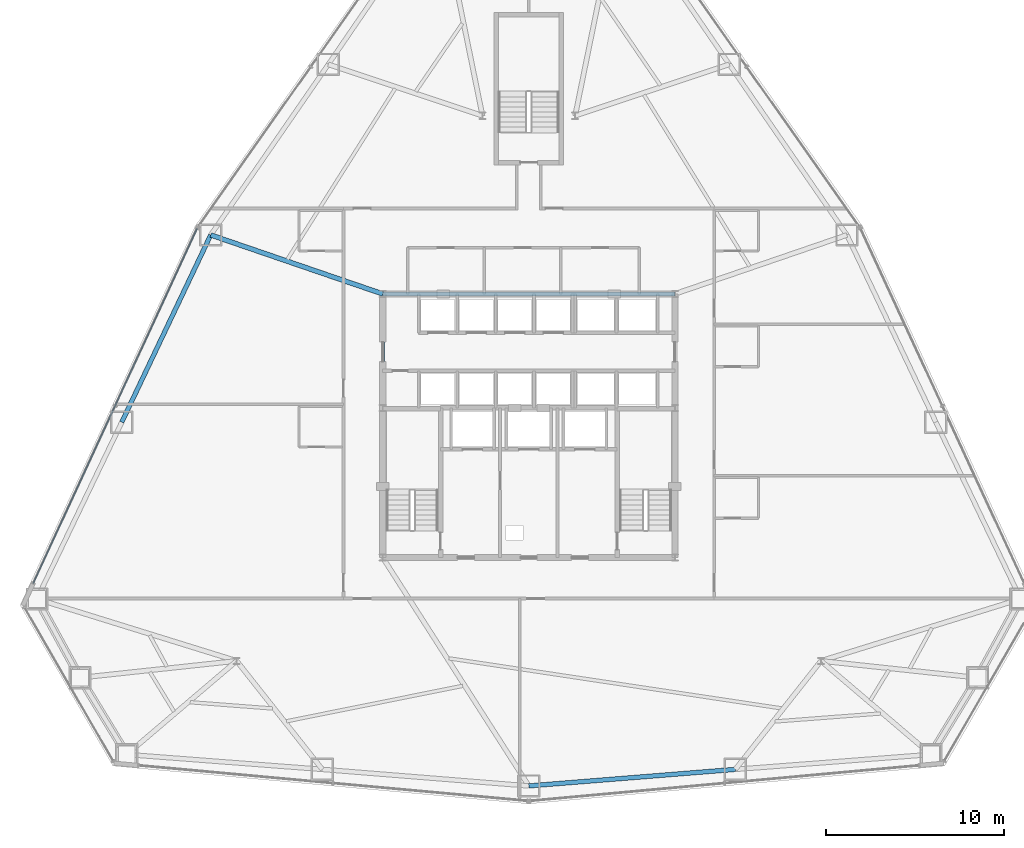
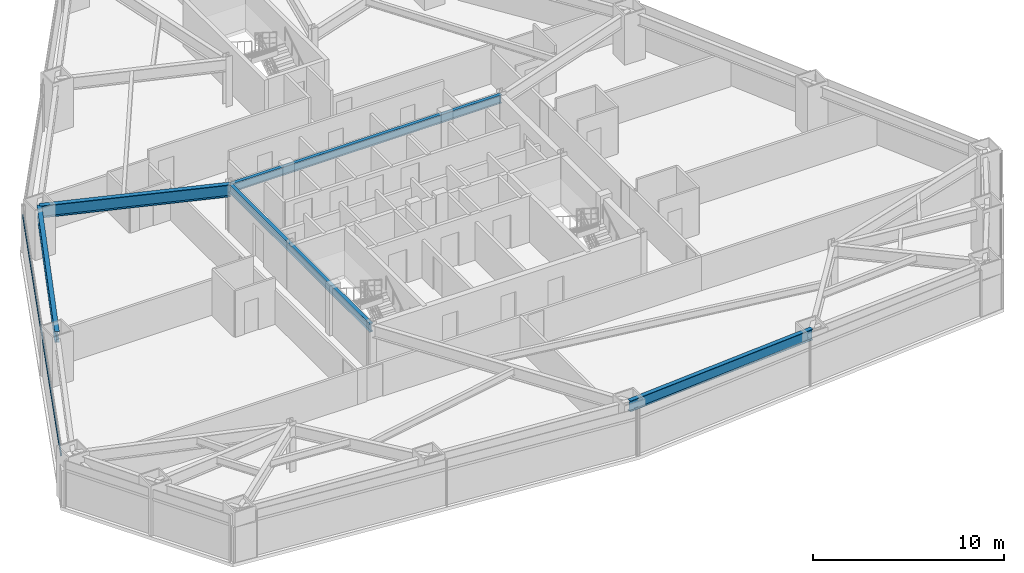
# One storey, part 5 of 12: 5 beams, 1 member, 1 element without a shape of its own.
"""IFC4 building model written with IfcOpenShell, lengths in metres."""

from ifc_helpers import new_model, si_unit, direction, frame, origin, origin_2d, place, context, subcontext, project, spatial, rectangle, i_section, extrude, source, transform, mapped, material, layer, layer_set, material_profile, profile_set, type_object, type_shapes, element, aggregate, save


model = new_model("IFC4")

# Units and contexts
model_context = context("Model", 3, precision=1e-05, world=origin(), true_north=direction((0.0, 1.0)))
body_context = subcontext(model_context, "Body", "Model", "MODEL_VIEW")
ifc_project = project(units=[si_unit("LENGTHUNIT", "METRE"), si_unit("AREAUNIT", "SQUARE_METRE"), si_unit("VOLUMEUNIT", "CUBIC_METRE"), si_unit("PLANEANGLEUNIT", "RADIAN"), si_unit("MASSUNIT", "GRAM", prefix="KILO")], contexts=[model_context])

# Site, building, storey
site_placement = place(None, origin())
site = spatial("IfcSite", under=ifc_project, at=site_placement, CompositionType="ELEMENT")
building_placement = place(site_placement, origin())
building = spatial("IfcBuilding", under=site, at=building_placement, Name="Varakhsha Concourse Tower", CompositionType="ELEMENT")
storey_placement = place(building_placement, frame((0.0, 0.0, 43.199951171875)))
storey = spatial("IfcBuildingStorey", under=building, at=storey_placement, Name="L11", CompositionType="ELEMENT", Elevation=43.199951171875)

# Beams
ifc_material_1 = material(Name="Structural Steel ASTM A992 Grade 50", Category="steel")
ifc_material_profile_1 = material_profile(ifc_material_1, i_section(OverallWidth=0.26611328125, OverallDepth=0.779052734375, WebThickness=0.01708984375, FlangeThickness=0.030029296875, at=origin_2d()), Name="W30X148")
ifc_profile_set_1 = profile_set([ifc_material_profile_1], Name="Structural Steel ASTM A992 Grade 50")
beam_type_1 = type_object("IfcBeamType", Name="BM-BASE-W30X148", PredefinedType="USERDEFINED", material=ifc_profile_set_1)
beam_1_placement = place(storey_placement, frame((31.800048828125, 31.199951171875, 2.590576171875), z_axis=(-0.945992273848, 0.324189169805, 0.0), x_axis=(-0.324189169805, -0.945992273848, 0.0)))
element("IfcBeam", 1, at=beam_1_placement, inside=storey, type_object=beam_type_1, Name="L11 Radial Floor Girder 05", ObjectType="GIRDER", PredefinedType="USERDEFINED", context=body_context, shape_type="SweptSolid", body=[
    extrude(i_section(OverallWidth=0.26611328125, OverallDepth=0.779052734375, WebThickness=0.01708984375, FlangeThickness=0.030029296875, at=origin_2d()), origin(), (0.0, 0.0, 1.0), 10.20654296875),
])
ifc_material_profile_2 = material_profile(ifc_material_1, i_section(OverallWidth=0.2109375, OverallDepth=0.5390625, WebThickness=0.011962890625, FlangeThickness=0.01904296875, at=origin_2d()), Name="W21X73")
ifc_profile_set_2 = profile_set([ifc_material_profile_2], Name="Structural Steel ASTM A992 Grade 50")
beam_type_2 = type_object("IfcBeamType", Name="BM-RAD-W21X73", PredefinedType="BEAM", material=ifc_profile_set_2)
beam_2_placement = place(storey_placement, frame((31.800048828125, 31.199951171875, 2.71044921875), z_axis=(1.0, 0.0, 0.0), x_axis=(0.0, 1.0, 0.0)))
element("IfcBeam", 2, at=beam_2_placement, inside=storey, type_object=beam_type_2, Name="BM-TCORE-L11-CN", PredefinedType="BEAM", context=body_context, shape_type="SweptSolid", body=[
    extrude(i_section(OverallWidth=0.2109375, OverallDepth=0.5390625, WebThickness=0.011962890625, FlangeThickness=0.01904296875, at=origin_2d()), origin(), (0.0, 0.0, 1.0), 16.39990234375),
])
beam_3_placement = place(storey_placement, frame((31.800048828125, 16.39990234375, 2.71044921875), z_axis=(0.0, 1.0, 0.0), x_axis=(-1.0, 0.0, 0.0)))
element("IfcBeam", 3, at=beam_3_placement, inside=storey, type_object=beam_type_2, Name="BM-TCORE-L11-CW", PredefinedType="BEAM", context=body_context, shape_type="SweptSolid", body=[
    extrude(i_section(OverallWidth=0.2109375, OverallDepth=0.5390625, WebThickness=0.011962890625, FlangeThickness=0.01904296875, at=origin_2d()), origin(), (0.0, 0.0, 1.0), 14.800048828125),
])
ifc_material_profile_3 = material_profile(ifc_material_1, i_section(OverallWidth=0.25390625, OverallDepth=0.701904296875, WebThickness=0.014892578125, FlangeThickness=0.028076171875, at=origin_2d()), Name="W27X129")
ifc_profile_set_3 = profile_set([ifc_material_profile_3], Name="Structural Steel ASTM A992 Grade 50")
beam_type_3 = type_object("IfcBeamType", Name="BM-SPAN-W27X129", PredefinedType="SPANDREL", material=ifc_profile_set_3)
for number, where, z_axis, x_axis, name in (
    (4, (22.144775390625, 34.5087890625, 2.629150390625), (-0.429213950227, -0.903202848164, 0.0), (0.903202848164, -0.429213950227, 0.0), "BM-SPAN-L11-05"),
    (5, (40.0, 3.58251953125, 2.629150390625), (0.996803386739, 0.079893730572, 0.0), (-0.079893730572, 0.996803386739, 0.0), "BM-SPAN-L11-11"),
):
    element("IfcBeam", number, at=place(storey_placement, frame(where, z_axis=z_axis, x_axis=x_axis)), inside=storey, type_object=beam_type_3, Name=name, PredefinedType="SPANDREL", context=body_context, shape_type="SweptSolid", body=[
        extrude(i_section(OverallWidth=0.25390625, OverallDepth=0.701904296875, WebThickness=0.014892578125, FlangeThickness=0.028076171875, at=origin_2d()), origin(), (0.0, 0.0, 1.0), 11.63037109375),
    ])

# Curtain wall, member
ifc_material_2 = material(Name="Anodised Bronze Architectural Aluminium AA 6063-T6", Category="aluminium")
ifc_layer = layer(ifc_material_2, 0.219970703125, Name="CW-SYS-02")
ifc_layer_set = layer_set([ifc_layer], Name="Anodised Bronze Architectural Aluminium AA 6063-T6")
curtain_wall_type = type_object("IfcCurtainWallType", Name="CW-SYS-02", PredefinedType="NOTDEFINED", material=ifc_layer_set)
curtain_wall_placement = place(storey_placement, origin())
curtain_wall = element("IfcCurtainWall", 6, at=curtain_wall_placement, inside=storey, type_object=curtain_wall_type, Name="L11 Crystal Curtain Wall F3", PredefinedType="NOTDEFINED")
ifc_material_profile_4 = material_profile(ifc_material_2, rectangle(XDim=0.06494140625, YDim=0.159912109375, at=origin_2d()), Name="CWT-160X65")
ifc_profile_set_4 = profile_set([ifc_material_profile_4], Name="Anodised Bronze Architectural Aluminium AA 6063-T6")
member_type = type_object("IfcMemberType", Name="CWT-160X65", PredefinedType="USERDEFINED", material=ifc_profile_set_4)
shared_shape = source(origin(), body_context, "Body", "SweptSolid", [
    extrude(rectangle(XDim=0.06494140625, YDim=0.159912109375, at=origin_2d()), origin(), (0.0, 0.0, 1.0), 21.943359375),
])
type_shapes(member_type, [shared_shape])
member_placement = place(storey_placement, frame((12.179931640625, 14.953369140625, 2.330078125), z_axis=(0.419268418601, 0.907862320599, 0.0), x_axis=(-0.907862320599, 0.419268418601, 0.0)))
member = element("IfcMember", 7, at=member_placement, type_object=member_type, Name="CW-L11-F3 Transom 01", ObjectType="TRANSOM", PredefinedType="USERDEFINED", context=body_context, shape_type="MappedRepresentation", body=[
    mapped(shared_shape, transform((0.0, 0.0, 0.0), scale=1.0)),
])
aggregate(curtain_wall, [member])

save(model, "model.ifc")
